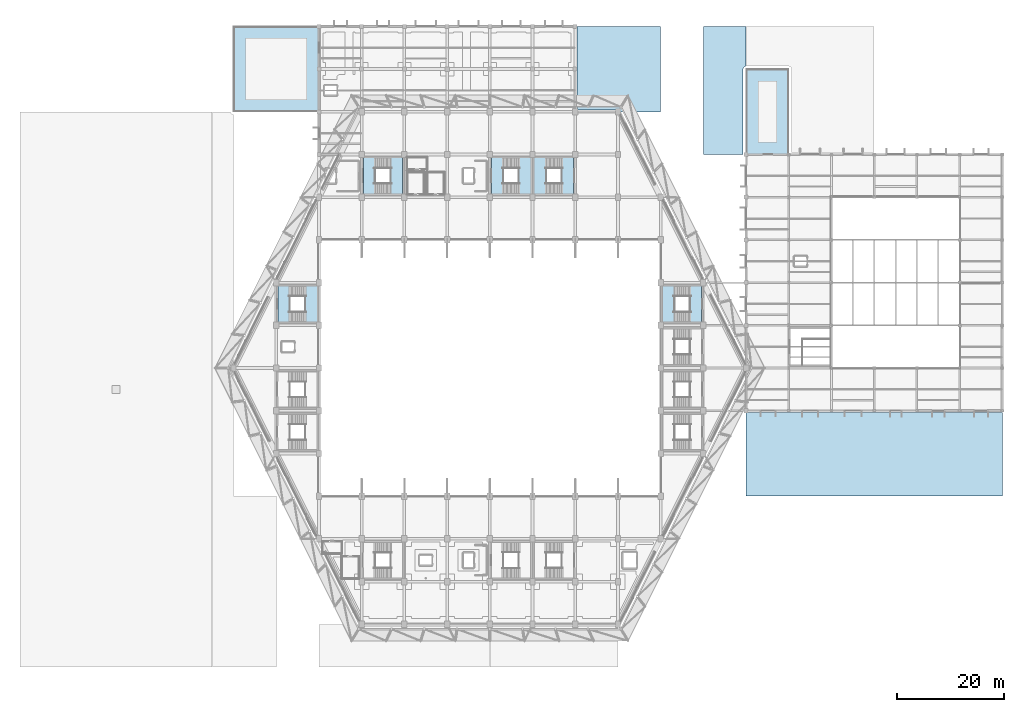
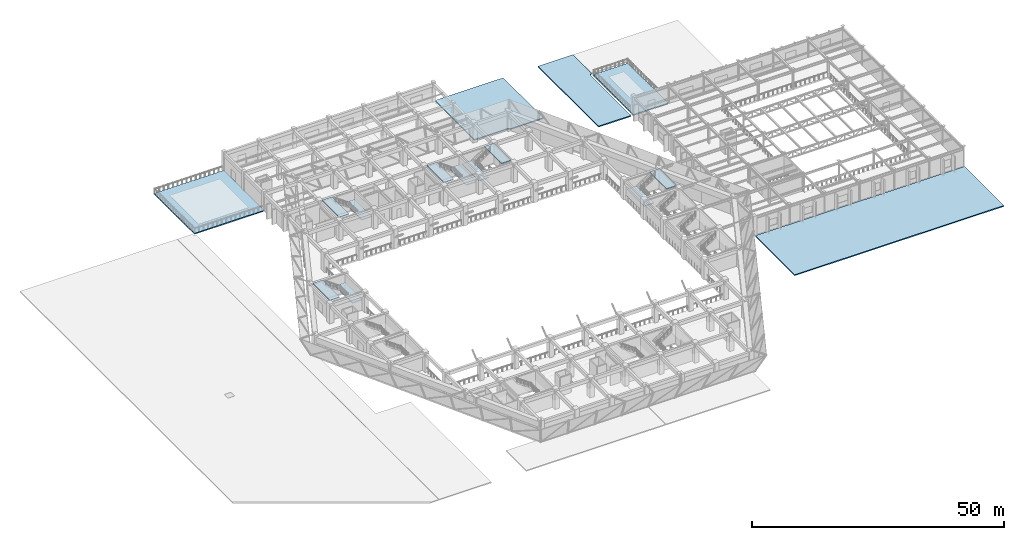
# One storey, part 18 of 46: 15 slabs, 5 elements without a shape of their own.
"""IFC4 building model written with IfcOpenShell, lengths in metres."""

import ifcopenshell
import ifcopenshell.guid

model = None  # the IFC model being written
_history = None  # IfcOwnerHistory: only IFC2X3 demands one
_inside = {}  # id of a spatial element -> (the spatial element, [elements in it])
_under = {}  # id of a project, library or spatial element -> (it, [spatial elements below it])
_declared = {}  # id of a project -> (the project, [libraries it declares])
_typed = {}  # id of a type object -> (the type object, [elements of that type])
_made_of = {}  # id of a material, layer set ... -> (it, [elements and type objects made of it])


def new_model(schema):
    """Start an empty IFC model of exactly this schema.

    Asked for "IFC4X3", IfcOpenShell would pick the latest addendum, in which some entities
    have other attributes; the version numbers below select the first issue.
    IFC2X3 requires an IfcOwnerHistory on every rooted entity: one is made here for all.
    """
    global model, _history
    if schema == "IFC4X3":
        model = ifcopenshell.file(schema_version=(4, 3, 0, 0))
    else:
        model = ifcopenshell.file(schema=schema)
    _inside.clear()
    _under.clear()
    _declared.clear()
    _typed.clear()
    _made_of.clear()
    _history = None
    if model.schema == "IFC2X3":
        org = make("IfcOrganization", Name="unknown")
        user = make(
            "IfcPersonAndOrganization",
            ThePerson=make("IfcPerson", FamilyName="unknown"),
            TheOrganization=org,
        )
        app = make(
            "IfcApplication",
            ApplicationDeveloper=org,
            Version="unknown",
            ApplicationFullName="unknown",
            ApplicationIdentifier="unknown",
        )
        _history = make(
            "IfcOwnerHistory",
            OwningUser=user,
            OwningApplication=app,
            ChangeAction="ADDED",
            CreationDate=0,
        )
    return model


def make(cls, **values):
    """One entity of the class cls with the attributes given. An attribute that is None is left unset."""
    return model.create_entity(
        cls, **{name: value for name, value in values.items() if value is not None}
    )


def rooted(cls, **values):
    """An entity with a GlobalId (a new one), such as an element, a storey or a relation."""
    return make(cls, GlobalId=ifcopenshell.guid.new(), OwnerHistory=_history, **values)


def si_unit(unit_type, name, prefix=None):
    """IfcSIUnit, for example si_unit("LENGTHUNIT", "METRE", prefix="MILLI")."""
    return make("IfcSIUnit", UnitType=unit_type, Prefix=prefix, Name=name)


def assignment(units):
    """IfcUnitAssignment: the units of a project."""
    return None if units is None else make("IfcUnitAssignment", Units=units)


def point(xyz):
    """IfcCartesianPoint."""
    return None if xyz is None else make("IfcCartesianPoint", Coordinates=xyz)


def direction(xyz):
    """IfcDirection."""
    return None if xyz is None else make("IfcDirection", DirectionRatios=xyz)


def frame(location, z_axis=None, x_axis=None):
    """IfcAxis2Placement3D, a coordinate frame: its origin and axes. An axis left out is left unset."""
    return make(
        "IfcAxis2Placement3D",
        Location=point(location),
        Axis=direction(z_axis),
        RefDirection=direction(x_axis),
    )


def origin():
    """The frame at (0, 0, 0) with its axes left unset."""
    return frame((0.0, 0.0, 0.0))


def place(relative_to, where):
    """IfcLocalPlacement: puts the frame where relative to a parent placement (None: the world)."""
    return make(
        "IfcLocalPlacement", PlacementRelTo=relative_to, RelativePlacement=where
    )


def context(
    kind, dimensions, precision=None, world=None, true_north=None, identifier=None
):
    """IfcGeometricRepresentationContext, for example the 3D "Model" context."""
    return make(
        "IfcGeometricRepresentationContext",
        ContextIdentifier=identifier,
        ContextType=kind,
        CoordinateSpaceDimension=dimensions,
        Precision=precision,
        WorldCoordinateSystem=world,
        TrueNorth=true_north,
    )


def subcontext(parent, identifier, kind, view, scale=None):
    """IfcGeometricRepresentationSubContext, for example "Body" below "Model"."""
    return make(
        "IfcGeometricRepresentationSubContext",
        ContextIdentifier=identifier,
        ContextType=kind,
        ParentContext=parent,
        TargetScale=scale,
        TargetView=view,
    )


def project(units=None, contexts=None):
    """IfcProject with its units and contexts."""
    return rooted(
        "IfcProject",
        Name="project",
        RepresentationContexts=contexts,
        UnitsInContext=assignment(units),
    )


def spatial(cls, under=None, at=None, **own):
    """A site, building, storey or space (cls), placed at a placement, below another one or the project."""
    s = rooted(cls, ObjectPlacement=at, **own)
    if under is not None:
        _under.setdefault(under.id(), (under, []))[1].append(s)
    return s


def polyline(points):
    """IfcPolyline through the points."""
    return make("IfcPolyline", Points=[point(p) for p in points])


def outline(outer, holes=None, kind="AREA"):
    """IfcArbitraryClosedProfileDef: a profile drawn as a closed curve; with holes, ...WithVoids."""
    if holes is None:
        return make("IfcArbitraryClosedProfileDef", ProfileType=kind, OuterCurve=outer)
    return make(
        "IfcArbitraryProfileDefWithVoids",
        ProfileType=kind,
        OuterCurve=outer,
        InnerCurves=holes,
    )


def extrude(swept, where, along, depth):
    """IfcExtrudedAreaSolid: the profile swept, set in the frame where, extruded along a direction by depth."""
    return make(
        "IfcExtrudedAreaSolid",
        SweptArea=swept,
        Position=where,
        ExtrudedDirection=direction(along),
        Depth=depth,
    )


def shape(context_of_items, identifier, shape_type, items):
    """IfcShapeRepresentation: the items that make up one representation, for example the "Body"."""
    return make(
        "IfcShapeRepresentation",
        ContextOfItems=context_of_items,
        RepresentationIdentifier=identifier,
        RepresentationType=shape_type,
        Items=items,
    )


def material(Name=None, Category=None):
    """IfcMaterial."""
    return make("IfcMaterial", Name=Name, Category=Category)


def layer(
    of_material, thickness, ventilated=None, Name=None, Category=None, Priority=None
):
    """IfcMaterialLayer: one layer of a wall or slab, of a material (None: an air gap)."""
    return make(
        "IfcMaterialLayer",
        Material=of_material,
        LayerThickness=thickness,
        IsVentilated=ventilated,
        Name=Name,
        Category=Category,
        Priority=Priority,
    )


def layer_set(layers, Name=None):
    """IfcMaterialLayerSet."""
    return make("IfcMaterialLayerSet", MaterialLayers=layers, LayerSetName=Name)


def made_of(thing, what):
    """Note that an element or type object is made of a material, layer set ...; save() writes the relation."""
    if what is not None:
        _made_of.setdefault(what.id(), (what, []))[1].append(thing)
    return thing


def type_object(cls, material=None, **own):
    """A type object (cls), such as IfcWallType, which elements share."""
    return made_of(rooted(cls, **own), material)


def element(
    cls,
    number,
    at=None,
    inside=None,
    cuts=None,
    type_object=None,
    material=None,
    context=None,
    identifier="Body",
    shape_type=None,
    held_by="IfcProductDefinitionShape",
    body=None,
    shapes=None,
    **own,
):
    """One element of the class cls, such as IfcWall. Its Tag is "e" and its number.

    at: its placement. inside: the storey or other place that contains it. cuts: it is an
    opening in that element (IfcRelVoidsElement). A single representation is given by context,
    identifier, shape_type and body (its items); several are given by shapes. held_by: the class
    of the entity that holds the representations. save() writes the other relations.
    """
    e = rooted(cls, Tag="e%d" % number, ObjectPlacement=at, **own)
    if body is not None:
        shapes = [shape(context, identifier, shape_type, body)]
    if shapes is not None:
        e.Representation = make(held_by, Representations=shapes)
    if inside is not None:
        _inside.setdefault(inside.id(), (inside, []))[1].append(e)
    if cuts is not None:
        rooted(
            "IfcRelVoidsElement", RelatingBuildingElement=cuts, RelatedOpeningElement=e
        )
    if type_object is not None:
        _typed.setdefault(type_object.id(), (type_object, []))[1].append(e)
    return made_of(e, material)


def aggregate(whole, parts):
    """IfcRelAggregates: a whole, such as a stair, and the parts it consists of."""
    return rooted("IfcRelAggregates", RelatingObject=whole, RelatedObjects=parts)


def save(model, path):
    """Write the relations noted so far, then the file.

    IfcRelAggregates (storeys below a building ...), IfcRelContainedInSpatialStructure (elements
    in a storey), IfcRelDefinesByType, IfcRelAssociatesMaterial and IfcRelDeclares: one each for
    every whole, place, type object, material and project.
    """
    for whole, parts in _under.values():
        aggregate(whole, parts)
    for where, things in _inside.values():
        rooted(
            "IfcRelContainedInSpatialStructure",
            RelatedElements=things,
            RelatingStructure=where,
        )
    for kind, things in _typed.values():
        rooted("IfcRelDefinesByType", RelatedObjects=things, RelatingType=kind)
    for what, things in _made_of.values():
        rooted("IfcRelAssociatesMaterial", RelatedObjects=things, RelatingMaterial=what)
    for by, libraries in _declared.values():
        rooted("IfcRelDeclares", RelatingContext=by, RelatedDefinitions=libraries)
    model.write(path)


model = new_model("IFC4")

# Units and contexts
model_context = context("Model", 3, precision=1e-05, world=origin(), true_north=direction((0.0, 1.0)))
body_context = subcontext(model_context, "Body", "Model", "MODEL_VIEW")
ifc_project = project(units=[si_unit("LENGTHUNIT", "METRE"), si_unit("AREAUNIT", "SQUARE_METRE"), si_unit("VOLUMEUNIT", "CUBIC_METRE"), si_unit("PLANEANGLEUNIT", "RADIAN"), si_unit("MASSUNIT", "GRAM", prefix="KILO")], contexts=[model_context])

# Site, building, storey
site_placement = place(None, origin())
site = spatial("IfcSite", under=ifc_project, at=site_placement, CompositionType="ELEMENT")
building_placement = place(site_placement, origin())
building = spatial("IfcBuilding", under=site, at=building_placement, Name="Tazarka Park Arena", CompositionType="ELEMENT")
storey_placement = place(building_placement, frame((0.0, 0.0, 10.199951171875)))
storey = spatial("IfcBuildingStorey", under=building, at=storey_placement, Name="L02", CompositionType="ELEMENT", Elevation=10.199951171875)

# Stair, slabs
ifc_material_1 = material(Name="Precast concrete C40/50", Category="concrete")
stair_type_1 = type_object("IfcStairType", Name="STR-2400", PredefinedType="HALF_TURN_STAIR", material=ifc_material_1)
stair_1_placement = place(storey_placement, origin())
stair_1 = element("IfcStair", 1, at=stair_1_placement, inside=storey, type_object=stair_type_1, Name="Stair ST10 L02", PredefinedType="HALF_TURN_STAIR")
ifc_material_2 = material(Name="Precast concrete C40/50", Category="concrete")
ifc_layer_1 = layer(ifc_material_2, 0.199951171875, Name="Precast concrete C40/50")
ifc_layer_set_1 = layer_set([ifc_layer_1], Name="Precast concrete C40/50")
slab_type_1 = type_object("IfcSlabType", Name="LND-01", PredefinedType="LANDING", material=ifc_layer_set_1)
slab_1_placement = place(storey_placement, frame((0.0, 0.0, 2.199951171875)))
slab_1 = element("IfcSlab", 2, at=slab_1_placement, type_object=slab_type_1, Name="ST10-L02 landing 1", PredefinedType="LANDING", context=body_context, shape_type="SweptSolid", body=[
    extrude(outline(polyline([(96.31005859375, 96.610107421875), (98.590087890625, 96.610107421875), (98.590087890625, 103.389892578125), (96.31005859375, 103.389892578125), (96.31005859375, 96.610107421875)])), origin(), (0.0, 0.0, 1.0), 0.2001953125),
])
slab_2_placement = place(storey_placement, frame((0.0, 0.0, 4.60009765625)))
slab_2 = element("IfcSlab", 3, at=slab_2_placement, type_object=slab_type_1, Name="ST10-L02 landing 2", PredefinedType="LANDING", context=body_context, shape_type="SweptSolid", body=[
    extrude(outline(polyline([(101.465087890625, 96.610107421875), (103.68994140625, 96.610107421875), (103.68994140625, 103.389892578125), (101.465087890625, 103.389892578125), (101.465087890625, 96.610107421875)])), origin(), (0.0, 0.0, 1.0), 0.199951171875),
])
aggregate(stair_1, [slab_1, slab_2])

stair_2_placement = place(storey_placement, origin())
stair_2 = element("IfcStair", 4, at=stair_2_placement, inside=storey, type_object=stair_type_1, Name="Stair ST14 L02", PredefinedType="HALF_TURN_STAIR")
slab_3_placement = place(storey_placement, frame((0.0, 0.0, 2.199951171875)))
slab_3 = element("IfcSlab", 5, at=slab_3_placement, type_object=slab_type_1, Name="ST14-L02 landing 1", PredefinedType="LANDING", context=body_context, shape_type="SweptSolid", body=[
    extrude(outline(polyline([(69.409912109375, 96.610107421875), (71.68994140625, 96.610107421875), (71.68994140625, 103.389892578125), (69.409912109375, 103.389892578125), (69.409912109375, 96.610107421875)])), origin(), (0.0, 0.0, 1.0), 0.2001953125),
])
slab_4_placement = place(storey_placement, frame((0.0, 0.0, 4.60009765625)))
slab_4 = element("IfcSlab", 6, at=slab_4_placement, type_object=slab_type_1, Name="ST14-L02 landing 2", PredefinedType="LANDING", context=body_context, shape_type="SweptSolid", body=[
    extrude(outline(polyline([(64.31005859375, 96.610107421875), (66.534912109375, 96.610107421875), (66.534912109375, 103.389892578125), (64.31005859375, 103.389892578125), (64.31005859375, 96.610107421875)])), origin(), (0.0, 0.0, 1.0), 0.199951171875),
])
aggregate(stair_2, [slab_3, slab_4])

stair_3_placement = place(storey_placement, origin())
stair_3 = element("IfcStair", 7, at=stair_3_placement, inside=storey, type_object=stair_type_1, Name="Stair ST15 L02", PredefinedType="HALF_TURN_STAIR")
slab_5_placement = place(storey_placement, frame((0.0, 0.0, 2.199951171875)))
slab_5 = element("IfcSlab", 8, at=slab_5_placement, type_object=slab_type_1, Name="ST15-L02 landing 1", PredefinedType="LANDING", context=body_context, shape_type="SweptSolid", body=[
    extrude(outline(polyline([(93.409912109375, 96.610107421875), (95.68994140625, 96.610107421875), (95.68994140625, 103.389892578125), (93.409912109375, 103.389892578125), (93.409912109375, 96.610107421875)])), origin(), (0.0, 0.0, 1.0), 0.2001953125),
])
slab_6_placement = place(storey_placement, frame((0.0, 0.0, 4.60009765625)))
slab_6 = element("IfcSlab", 9, at=slab_6_placement, type_object=slab_type_1, Name="ST15-L02 landing 2", PredefinedType="LANDING", context=body_context, shape_type="SweptSolid", body=[
    extrude(outline(polyline([(88.31005859375, 96.610107421875), (90.534912109375, 96.610107421875), (90.534912109375, 103.389892578125), (88.31005859375, 103.389892578125), (88.31005859375, 96.610107421875)])), origin(), (0.0, 0.0, 1.0), 0.199951171875),
])
aggregate(stair_3, [slab_5, slab_6])

ifc_material_3 = material(Name="Precast concrete C40/50", Category="concrete")
stair_type_2 = type_object("IfcStairType", Name="STR-1800", PredefinedType="HALF_TURN_STAIR", material=ifc_material_3)
stair_4_placement = place(storey_placement, origin())
stair_4 = element("IfcStair", 10, at=stair_4_placement, inside=storey, type_object=stair_type_2, Name="Vomitory Stair ST20 L02", PredefinedType="HALF_TURN_STAIR")
slab_7_placement = place(storey_placement, frame((0.0, 0.0, 2.199951171875)))
slab_7 = element("IfcSlab", 11, at=slab_7_placement, type_object=slab_type_1, Name="ST20-L02 landing 1", PredefinedType="LANDING", context=body_context, shape_type="SweptSolid", body=[
    extrude(outline(polyline([(53.409912109375, 72.610107421875), (55.68994140625, 72.610107421875), (55.68994140625, 79.389892578125), (53.409912109375, 79.389892578125), (53.409912109375, 72.610107421875)])), origin(), (0.0, 0.0, 1.0), 0.2001953125),
])
slab_8_placement = place(storey_placement, frame((0.0, 0.0, 4.60009765625)))
slab_8 = element("IfcSlab", 12, at=slab_8_placement, type_object=slab_type_1, Name="ST20-L02 landing 2", PredefinedType="LANDING", context=body_context, shape_type="SweptSolid", body=[
    extrude(outline(polyline([(48.31005859375, 72.610107421875), (50.534912109375, 72.610107421875), (50.534912109375, 79.389892578125), (48.31005859375, 79.389892578125), (48.31005859375, 72.610107421875)])), origin(), (0.0, 0.0, 1.0), 0.199951171875),
])
aggregate(stair_4, [slab_7, slab_8])

stair_5_placement = place(storey_placement, origin())
stair_5 = element("IfcStair", 13, at=stair_5_placement, inside=storey, type_object=stair_type_2, Name="Vomitory Stair ST22 L02", PredefinedType="HALF_TURN_STAIR")
slab_9_placement = place(storey_placement, frame((0.0, 0.0, 2.199951171875)))
slab_9 = element("IfcSlab", 14, at=slab_9_placement, type_object=slab_type_1, Name="ST22-L02 landing 1", PredefinedType="LANDING", context=body_context, shape_type="SweptSolid", body=[
    extrude(outline(polyline([(120.31005859375, 72.610107421875), (122.590087890625, 72.610107421875), (122.590087890625, 79.389892578125), (120.31005859375, 79.389892578125), (120.31005859375, 72.610107421875)])), origin(), (0.0, 0.0, 1.0), 0.2001953125),
])
slab_10_placement = place(storey_placement, frame((0.0, 0.0, 4.60009765625)))
slab_10 = element("IfcSlab", 15, at=slab_10_placement, type_object=slab_type_1, Name="ST22-L02 landing 2", PredefinedType="LANDING", context=body_context, shape_type="SweptSolid", body=[
    extrude(outline(polyline([(125.465087890625, 72.610107421875), (127.68994140625, 72.610107421875), (127.68994140625, 79.389892578125), (125.465087890625, 79.389892578125), (125.465087890625, 72.610107421875)])), origin(), (0.0, 0.0, 1.0), 0.199951171875),
])
aggregate(stair_5, [slab_9, slab_10])

# Slabs
ifc_material_4 = material(Name="Concrete C35/45", Category="concrete")
ifc_layer_2 = layer(ifc_material_4, 0.25, Name="Concrete C35/45")
ifc_layer_set_2 = layer_set([ifc_layer_2], Name="Concrete C35/45")
slab_type_2 = type_object("IfcSlabType", Name="SLB-RS-03", PredefinedType="ROOF", material=ifc_layer_set_2)
slab_11_placement = place(storey_placement, frame((0.0, 0.0, -0.25)))
element("IfcSlab", 16, at=slab_11_placement, inside=storey, type_object=slab_type_2, Name="WROOF-L02-05", PredefinedType="ROOF", context=body_context, shape_type="SweptSolid", body=[
    extrude(outline(polyline([(112.295654296875, 112.187255859375), (112.168701171875, 112.306640625), (112.0, 112.35009765625), (104.35009765625, 112.35009765625), (104.35009765625, 128.0), (120.0, 128.0), (120.0, 112.0), (112.391357421875, 112.0), (112.295654296875, 112.187255859375)])), origin(), (0.0, 0.0, 1.0), 0.25),
])
slab_12_placement = place(storey_placement, frame((0.0, 0.0, -0.25)))
element("IfcSlab", 17, at=slab_12_placement, inside=storey, type_object=slab_type_2, Name="WROOF-L02-06", PredefinedType="ROOF", context=body_context, shape_type="SweptSolid", body=[
    extrude(outline(polyline([(135.97998046875, 120.549072265625), (135.74072265625, 120.485107421875), (135.57470703125, 120.348876953125), (135.4736328125, 120.15966796875), (135.449951171875, 120.0), (135.449951171875, 104.0), (128.0, 104.0), (128.0, 128.0), (135.97998046875, 128.0), (135.97998046875, 120.549072265625)])), origin(), (0.0, 0.0, 1.0), 0.25),
])
slab_13_placement = place(storey_placement, frame((0.0, 0.0, -0.25)))
element("IfcSlab", 18, at=slab_13_placement, inside=storey, type_object=slab_type_2, Name="WROOF-L02-08", PredefinedType="ROOF", context=body_context, shape_type="SweptSolid", body=[
    extrude(outline(polyline([(184.0, 55.64990234375), (184.0, 40.0), (136.02001953125, 40.0), (136.02001953125, 55.64990234375), (184.0, 55.64990234375)])), origin(), (0.0, 0.0, 1.0), 0.25),
])
ifc_material_5 = material(Name="Concrete C35/45", Category="concrete")
ifc_layer_3 = layer(ifc_material_5, 0.260009765625, Name="Concrete C35/45")
ifc_layer_set_3 = layer_set([ifc_layer_3], Name="Concrete C35/45")
slab_type_3 = type_object("IfcSlabType", Name="SLB-TS-01", PredefinedType="FLOOR", material=ifc_layer_set_3)
slab_14_placement = place(storey_placement, frame((0.0, 0.0, -0.260009765625)))
element("IfcSlab", 19, at=slab_14_placement, inside=storey, type_object=slab_type_3, Name="TER-L02-01", PredefinedType="FLOOR", context=body_context, shape_type="SweptSolid", body=[
    extrude(outline(polyline([(40.0, 112.0), (40.0, 128.0), (55.9599609375, 128.0), (55.9599609375, 112.0), (40.0, 112.0)])), origin(), (0.0, 0.0, 1.0), 0.260009765625),
])
ifc_material_6 = material(Name="Concrete C35/45", Category="concrete")
ifc_layer_4 = layer(ifc_material_6, 0.2900390625, Name="Concrete C35/45")
ifc_layer_set_4 = layer_set([ifc_layer_4], Name="Concrete C35/45")
slab_type_4 = type_object("IfcSlabType", Name="SLB-TS-02", PredefinedType="FLOOR", material=ifc_layer_set_4)
slab_15_placement = place(storey_placement, frame((0.0, 0.0, -0.2900390625)))
element("IfcSlab", 20, at=slab_15_placement, inside=storey, type_object=slab_type_4, Name="TER-L02-02", PredefinedType="FLOOR", context=body_context, shape_type="SweptSolid", body=[
    extrude(outline(polyline([(144.0, 120.0), (144.0, 104.0400390625), (136.02001953125, 104.0400390625), (136.02001953125, 120.0), (144.0, 120.0)])), origin(), (0.0, 0.0, 1.0), 0.2900390625),
])

save(model, "model.ifc")
